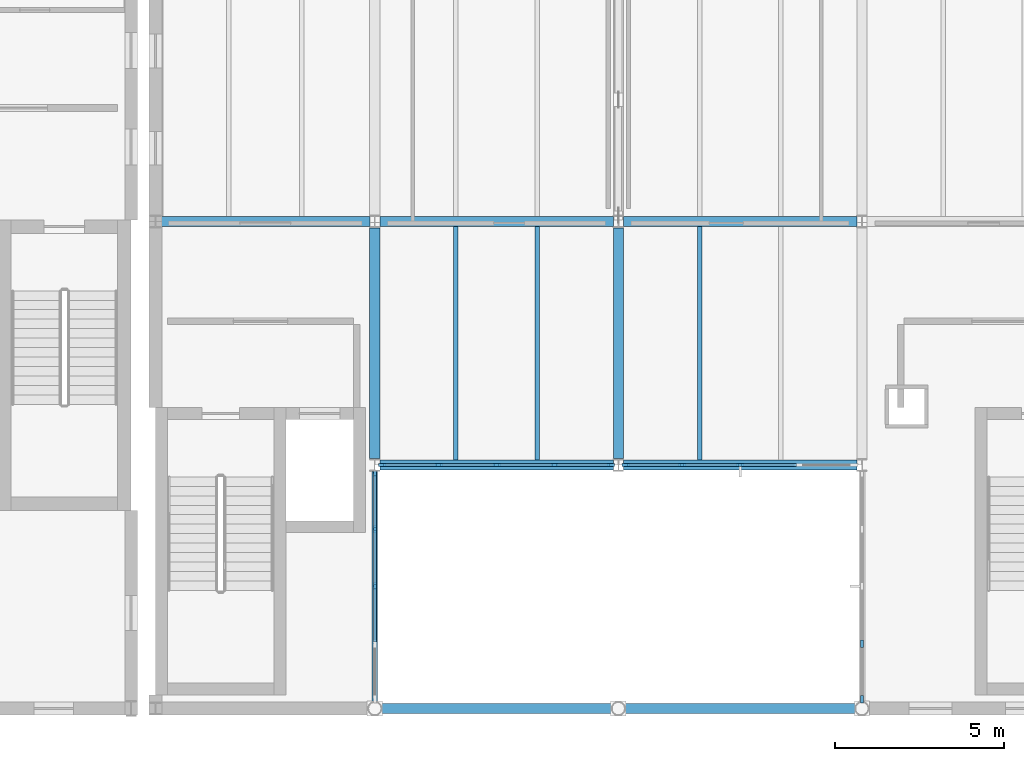
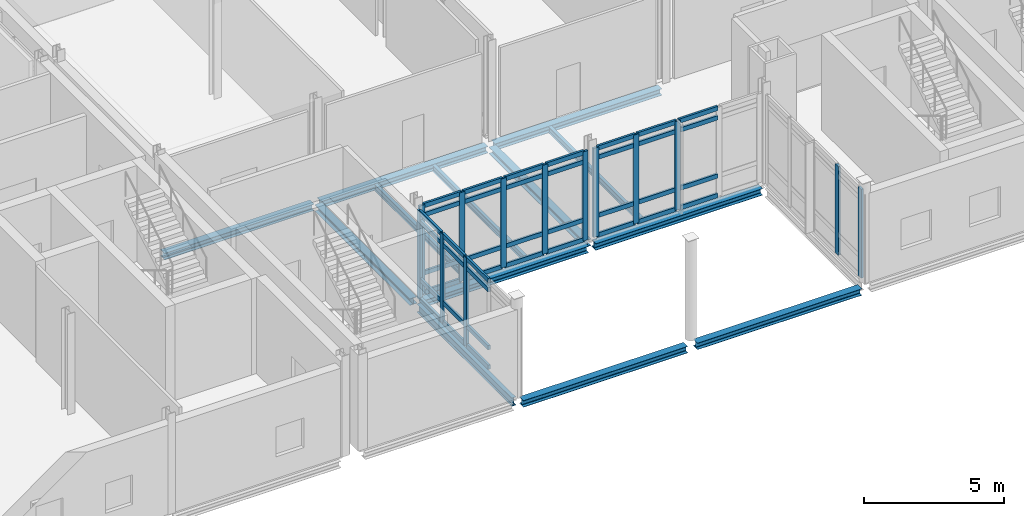
# One storey, part 15 of 72: 53 members, 13 beams, 4 elements without a shape of their own.
"""IFC4 building model written with IfcOpenShell, lengths in metres."""

from ifc_helpers import new_model, si_unit, direction, frame, origin, origin_2d, place, context, subcontext, project, spatial, rectangle, i_section, extrude, material, layer, layer_set, material_profile, profile_set, type_object, element, aggregate, save


model = new_model("IFC4")

# Units and contexts
model_context = context("Model", 3, precision=1e-05, world=origin(), true_north=direction((0.0, 1.0)))
body_context = subcontext(model_context, "Body", "Model", "MODEL_VIEW")
ifc_project = project(units=[si_unit("LENGTHUNIT", "METRE"), si_unit("AREAUNIT", "SQUARE_METRE"), si_unit("VOLUMEUNIT", "CUBIC_METRE"), si_unit("PLANEANGLEUNIT", "RADIAN"), si_unit("MASSUNIT", "GRAM", prefix="KILO")], contexts=[model_context])

# Site, building, storey
site_placement = place(None, origin())
site = spatial("IfcSite", under=ifc_project, at=site_placement, CompositionType="ELEMENT")
building_placement = place(site_placement, origin())
building = spatial("IfcBuilding", under=site, at=building_placement, Name="Zarrinpeak Specialist Clinic", CompositionType="ELEMENT")
storey_placement = place(building_placement, frame((0.0, 0.0, 9.60009765625)))
storey = spatial("IfcBuildingStorey", under=building, at=storey_placement, Name="L02", CompositionType="ELEMENT", Elevation=9.60009765625)

# Beams
ifc_material_1 = material(Name="Steel S355", Category="steel")
ifc_material_profile_1 = material_profile(ifc_material_1, i_section(OverallWidth=0.300048828125, OverallDepth=0.2900390625, WebThickness=0.008544921875, FlangeThickness=0.013916015625, FilletRadius=0.027099609375, at=origin_2d()), Name="HEA 300")
ifc_profile_set_1 = profile_set([ifc_material_profile_1], Name="Steel S355")
beam_type_1 = type_object("IfcBeamType", Name="BM-HEA300", PredefinedType="BEAM", material=ifc_profile_set_1)
for number, where, z_axis, x_axis, name in (
    (1, (36.201171875, 0.0, -0.360107421875), (1.0, 0.0, 0.0), (0.0, 1.0, 0.0), "L02 Primary Floor Girder BM-L02-X1113"),
    (2, (43.401123046875, 0.0, -0.360107421875), (1.0, 0.0, 0.0), (0.0, 1.0, 0.0), "L02 Primary Floor Girder BM-L02-X1114"),
):
    element("IfcBeam", number, at=place(storey_placement, frame(where, z_axis=z_axis, x_axis=x_axis)), inside=storey, type_object=beam_type_1, Name=name, PredefinedType="BEAM", context=body_context, shape_type="SweptSolid", body=[
        extrude(i_section(OverallWidth=0.300048828125, OverallDepth=0.2900390625, WebThickness=0.008544921875, FlangeThickness=0.013916015625, FilletRadius=0.027099609375, at=origin_2d()), origin(), (0.0, 0.0, 1.0), 6.797607421875),
    ])
for number, where, z_axis, x_axis, name in (
    (3, (36.14794921875, 7.199951171875, -0.360107421875), (1.0, 0.0, 0.0), (0.0, 1.0, 0.0), "L02 Primary Floor Girder BM-L02-X1122"),
    (4, (43.347900390625, 7.199951171875, -0.360107421875), (1.0, 0.0, 0.0), (0.0, 1.0, 0.0), "L02 Primary Floor Girder BM-L02-X1123"),
):
    element("IfcBeam", number, at=place(storey_placement, frame(where, z_axis=z_axis, x_axis=x_axis)), inside=storey, type_object=beam_type_1, Name=name, PredefinedType="BEAM", context=body_context, shape_type="SweptSolid", body=[
        extrude(i_section(OverallWidth=0.300048828125, OverallDepth=0.2900390625, WebThickness=0.008544921875, FlangeThickness=0.013916015625, FilletRadius=0.027099609375, at=origin_2d()), origin(), (0.0, 0.0, 1.0), 6.904052734375),
    ])
beam_1_placement = place(storey_placement, frame((29.66796875, 14.39990234375, -0.360107421875), z_axis=(1.0, 0.0, 0.0), x_axis=(0.0, 1.0, 0.0)))
element("IfcBeam", 5, at=beam_1_placement, inside=storey, type_object=beam_type_1, Name="L02 Primary Floor Girder BM-L02-X1127", PredefinedType="BEAM", context=body_context, shape_type="SweptSolid", body=[
    extrude(i_section(OverallWidth=0.300048828125, OverallDepth=0.2900390625, WebThickness=0.008544921875, FlangeThickness=0.013916015625, FilletRadius=0.027099609375, at=origin_2d()), origin(), (0.0, 0.0, 1.0), 6.18408203125),
])
for number, where, z_axis, x_axis, name in (
    (6, (36.14794921875, 14.39990234375, -0.360107421875), (1.0, 0.0, 0.0), (0.0, 1.0, 0.0), "L02 Primary Floor Girder BM-L02-X1128"),
    (7, (43.347900390625, 14.39990234375, -0.360107421875), (1.0, 0.0, 0.0), (0.0, 1.0, 0.0), "L02 Primary Floor Girder BM-L02-X1129"),
):
    element("IfcBeam", number, at=place(storey_placement, frame(where, z_axis=z_axis, x_axis=x_axis)), inside=storey, type_object=beam_type_1, Name=name, PredefinedType="BEAM", context=body_context, shape_type="SweptSolid", body=[
        extrude(i_section(OverallWidth=0.300048828125, OverallDepth=0.2900390625, WebThickness=0.008544921875, FlangeThickness=0.013916015625, FilletRadius=0.027099609375, at=origin_2d()), origin(), (0.0, 0.0, 1.0), 6.904052734375),
    ])
for number, where, z_axis, x_axis, name in (
    (8, (36.0, 7.39794921875, -0.360107421875), (0.0, 1.0, 0.0), (-1.0, 0.0, 0.0), "L02 Primary Beam BM-L02-Y1276"),
    (9, (43.199951171875, 7.39794921875, -0.360107421875), (0.0, 1.0, 0.0), (-1.0, 0.0, 0.0), "L02 Primary Beam BM-L02-Y1282"),
):
    element("IfcBeam", number, at=place(storey_placement, frame(where, z_axis=z_axis, x_axis=x_axis)), inside=storey, type_object=beam_type_1, Name=name, PredefinedType="BEAM", context=body_context, shape_type="SweptSolid", body=[
        extrude(i_section(OverallWidth=0.300048828125, OverallDepth=0.2900390625, WebThickness=0.008544921875, FlangeThickness=0.013916015625, FilletRadius=0.027099609375, at=origin_2d()), origin(), (0.0, 0.0, 1.0), 6.803955078125),
    ])
ifc_material_profile_2 = material_profile(ifc_material_1, i_section(OverallWidth=0.135009765625, OverallDepth=0.27001953125, WebThickness=0.006591796875, FlangeThickness=0.01025390625, FilletRadius=0.014892578125, at=origin_2d()), Name="IPE 270")
ifc_profile_set_2 = profile_set([ifc_material_profile_2], Name="Steel S355")
beam_type_2 = type_object("IfcBeamType", Name="BM-JST270", PredefinedType="JOIST", material=ifc_profile_set_2)
for number, where, z_axis, x_axis, name in (
    (10, (38.39990234375, 7.347900390625, -0.35009765625), (0.0, 1.0, 0.0), (-1.0, 0.0, 0.0), "L02 Composite Floor Joist JST-L02-1379"),
    (11, (40.800048828125, 7.347900390625, -0.35009765625), (0.0, 1.0, 0.0), (-1.0, 0.0, 0.0), "L02 Composite Floor Joist JST-L02-1380"),
    (12, (45.60009765625, 7.347900390625, -0.35009765625), (0.0, 1.0, 0.0), (-1.0, 0.0, 0.0), "L02 Composite Floor Joist JST-L02-1385"),
):
    element("IfcBeam", number, at=place(storey_placement, frame(where, z_axis=z_axis, x_axis=x_axis)), inside=storey, type_object=beam_type_2, Name=name, PredefinedType="JOIST", context=body_context, shape_type="SweptSolid", body=[
        extrude(i_section(OverallWidth=0.135009765625, OverallDepth=0.27001953125, WebThickness=0.006591796875, FlangeThickness=0.01025390625, FilletRadius=0.014892578125, at=origin_2d()), origin(), (0.0, 0.0, 1.0), 6.904052734375),
    ])
ifc_material_profile_3 = material_profile(ifc_material_1, i_section(OverallWidth=0.169921875, OverallDepth=0.360107421875, WebThickness=0.008056640625, FlangeThickness=0.0126953125, FilletRadius=0.01806640625, at=origin_2d()), Name="IPE 360")
ifc_profile_set_3 = profile_set([ifc_material_profile_3], Name="Steel S355")
beam_type_3 = type_object("IfcBeamType", Name="BM-SP360", PredefinedType="SPANDREL", material=ifc_profile_set_3)
beam_2_placement = place(storey_placement, frame((36.0, 0.201171875, -0.39501953125), z_axis=(0.0, 1.0, 0.0), x_axis=(-1.0, 0.0, 0.0)))
element("IfcBeam", 13, at=beam_2_placement, inside=storey, type_object=beam_type_3, Name="L02 Perimeter Spandrel Beam BM-L02-Y1275", PredefinedType="SPANDREL", context=body_context, shape_type="SweptSolid", body=[
    extrude(i_section(OverallWidth=0.169921875, OverallDepth=0.360107421875, WebThickness=0.008056640625, FlangeThickness=0.0126953125, FilletRadius=0.01806640625, at=origin_2d()), origin(), (0.0, 0.0, 1.0), 6.80078125),
])

# Curtain wall, members
ifc_material_2 = material(Name="Anodised Aluminium Alloy 6063-T6", Category="aluminium")
ifc_layer = layer(ifc_material_2, 0.18994140625)
ifc_layer_set = layer_set([ifc_layer], Name="Anodised Aluminium Alloy 6063-T6")
curtain_wall_type = type_object("IfcCurtainWallType", Name="CW-LOGGIA", PredefinedType="NOTDEFINED", material=ifc_layer_set)
curtain_wall_1_placement = place(storey_placement, origin())
curtain_wall_1 = element("IfcCurtainWall", 14, at=curtain_wall_1_placement, inside=storey, type_object=curtain_wall_type, Name="L02 V2 Unitised Curtain Wall CW-L02-V2-051", PredefinedType="NOTDEFINED")
ifc_material_profile_4 = material_profile(ifc_material_2, rectangle(XDim=0.090087890625, YDim=0.219970703125, at=origin_2d()), Name="ALU 90x220")
ifc_profile_set_4 = profile_set([ifc_material_profile_4], Name="Anodised Aluminium Alloy 6063-T6")
member_type_1 = type_object("IfcMemberType", Name="CWM-90", PredefinedType="MULLION", material=ifc_profile_set_4)
member_1_placement = place(storey_placement, frame((36.219970703125, 7.199951171875, 0.0), z_axis=(0.0, 0.0, 1.0), x_axis=(0.0, 1.0, 0.0)))
member_1 = element("IfcMember", 15, at=member_1_placement, type_object=member_type_1, Name="CW-04 mullion 1", PredefinedType="MULLION", context=body_context, shape_type="SweptSolid", body=[
    extrude(rectangle(XDim=0.090087890625, YDim=0.219970703125, at=origin_2d()), origin(), (0.0, 0.0, 1.0), 3.89501953125),
])
member_2_placement = place(storey_placement, frame((37.887451171875, 7.199951171875, 0.0), z_axis=(0.0, 0.0, 1.0), x_axis=(0.0, 1.0, 0.0)))
member_2 = element("IfcMember", 16, at=member_2_placement, type_object=member_type_1, Name="CW-04 mullion 2", PredefinedType="MULLION", context=body_context, shape_type="SweptSolid", body=[
    extrude(rectangle(XDim=0.090087890625, YDim=0.219970703125, at=origin_2d()), origin(), (0.0, 0.0, 1.0), 3.89501953125),
])
member_3_placement = place(storey_placement, frame((39.60009765625, 7.199951171875, 0.0), z_axis=(0.0, 0.0, 1.0), x_axis=(0.0, 1.0, 0.0)))
member_3 = element("IfcMember", 17, at=member_3_placement, type_object=member_type_1, Name="CW-04 mullion 3", PredefinedType="MULLION", context=body_context, shape_type="SweptSolid", body=[
    extrude(rectangle(XDim=0.090087890625, YDim=0.219970703125, at=origin_2d()), origin(), (0.0, 0.0, 1.0), 3.89501953125),
])
member_4_placement = place(storey_placement, frame((41.3125, 7.199951171875, 0.0), z_axis=(0.0, 0.0, 1.0), x_axis=(0.0, 1.0, 0.0)))
member_4 = element("IfcMember", 18, at=member_4_placement, type_object=member_type_1, Name="CW-04 mullion 4", PredefinedType="MULLION", context=body_context, shape_type="SweptSolid", body=[
    extrude(rectangle(XDim=0.090087890625, YDim=0.219970703125, at=origin_2d()), origin(), (0.0, 0.0, 1.0), 3.89501953125),
])
member_5_placement = place(storey_placement, frame((42.97998046875, 7.199951171875, 0.0), z_axis=(0.0, 0.0, 1.0), x_axis=(0.0, 1.0, 0.0)))
member_5 = element("IfcMember", 19, at=member_5_placement, type_object=member_type_1, Name="CW-04 mullion 5", PredefinedType="MULLION", context=body_context, shape_type="SweptSolid", body=[
    extrude(rectangle(XDim=0.090087890625, YDim=0.219970703125, at=origin_2d()), origin(), (0.0, 0.0, 1.0), 3.89501953125),
])

curtain_wall_2_placement = place(storey_placement, origin())
curtain_wall_2 = element("IfcCurtainWall", 20, at=curtain_wall_2_placement, inside=storey, type_object=curtain_wall_type, Name="L02 V2 Unitised Curtain Wall CW-L02-V2-052", PredefinedType="NOTDEFINED")
member_6_placement = place(storey_placement, frame((43.419921875, 7.199951171875, 0.0), z_axis=(0.0, 0.0, 1.0), x_axis=(0.0, 1.0, 0.0)))
member_6 = element("IfcMember", 21, at=member_6_placement, type_object=member_type_1, Name="CW-04 mullion 1", PredefinedType="MULLION", context=body_context, shape_type="SweptSolid", body=[
    extrude(rectangle(XDim=0.090087890625, YDim=0.219970703125, at=origin_2d()), origin(), (0.0, 0.0, 1.0), 3.89501953125),
])
member_7_placement = place(storey_placement, frame((45.08740234375, 7.199951171875, 0.0), z_axis=(0.0, 0.0, 1.0), x_axis=(0.0, 1.0, 0.0)))
member_7 = element("IfcMember", 22, at=member_7_placement, type_object=member_type_1, Name="CW-04 mullion 2", PredefinedType="MULLION", context=body_context, shape_type="SweptSolid", body=[
    extrude(rectangle(XDim=0.090087890625, YDim=0.219970703125, at=origin_2d()), origin(), (0.0, 0.0, 1.0), 3.89501953125),
])
member_8_placement = place(storey_placement, frame((46.800048828125, 7.199951171875, 0.0), z_axis=(0.0, 0.0, 1.0), x_axis=(0.0, 1.0, 0.0)))
member_8 = element("IfcMember", 23, at=member_8_placement, type_object=member_type_1, Name="CW-04 mullion 3", PredefinedType="MULLION", context=body_context, shape_type="SweptSolid", body=[
    extrude(rectangle(XDim=0.090087890625, YDim=0.219970703125, at=origin_2d()), origin(), (0.0, 0.0, 1.0), 3.89501953125),
])

curtain_wall_3_placement = place(storey_placement, origin())
curtain_wall_3 = element("IfcCurtainWall", 24, at=curtain_wall_3_placement, inside=storey, type_object=curtain_wall_type, Name="L02 V2 Unitised Curtain Wall CW-L02-V2-053", PredefinedType="NOTDEFINED")
member_9_placement = place(storey_placement, frame((36.0, 3.611572265625, 0.0), z_axis=(0.0, 0.0, 1.0), x_axis=(-1.0, 0.0, 0.0)))
member_9 = element("IfcMember", 25, at=member_9_placement, type_object=member_type_1, Name="CW-04 mullion 3", PredefinedType="MULLION", context=body_context, shape_type="SweptSolid", body=[
    extrude(rectangle(XDim=0.090087890625, YDim=0.219970703125, at=origin_2d()), origin(), (0.0, 0.0, 1.0), 3.885009765625),
])
member_10_placement = place(storey_placement, frame((36.0, 5.30322265625, 0.0), z_axis=(0.0, 0.0, 1.0), x_axis=(-1.0, 0.0, 0.0)))
member_10 = element("IfcMember", 26, at=member_10_placement, type_object=member_type_1, Name="CW-04 mullion 4", PredefinedType="MULLION", context=body_context, shape_type="SweptSolid", body=[
    extrude(rectangle(XDim=0.090087890625, YDim=0.219970703125, at=origin_2d()), origin(), (0.0, 0.0, 1.0), 3.885009765625),
])
member_11_placement = place(storey_placement, frame((36.0, 6.949951171875, 0.0), z_axis=(0.0, 0.0, 1.0), x_axis=(-1.0, 0.0, 0.0)))
member_11 = element("IfcMember", 27, at=member_11_placement, type_object=member_type_1, Name="CW-04 mullion 5", PredefinedType="MULLION", context=body_context, shape_type="SweptSolid", body=[
    extrude(rectangle(XDim=0.090087890625, YDim=0.219970703125, at=origin_2d()), origin(), (0.0, 0.0, 1.0), 3.885009765625),
])

curtain_wall_4_placement = place(storey_placement, origin())
curtain_wall_4 = element("IfcCurtainWall", 28, at=curtain_wall_4_placement, inside=storey, type_object=curtain_wall_type, Name="L02 V2 Unitised Curtain Wall CW-L02-V2-054", PredefinedType="NOTDEFINED")
member_12_placement = place(storey_placement, frame((50.39990234375, 1.919921875, 0.0), z_axis=(0.0, 0.0, 1.0), x_axis=(1.0, 0.0, 0.0)))
member_12 = element("IfcMember", 29, at=member_12_placement, type_object=member_type_1, Name="CW-04 mullion 4", PredefinedType="MULLION", context=body_context, shape_type="SweptSolid", body=[
    extrude(rectangle(XDim=0.090087890625, YDim=0.219970703125, at=origin_2d()), origin(), (0.0, 0.0, 1.0), 3.885009765625),
])
member_13_placement = place(storey_placement, frame((50.39990234375, 0.273193359375, 0.0), z_axis=(0.0, 0.0, 1.0), x_axis=(1.0, 0.0, 0.0)))
member_13 = element("IfcMember", 30, at=member_13_placement, type_object=member_type_1, Name="CW-04 mullion 5", PredefinedType="MULLION", context=body_context, shape_type="SweptSolid", body=[
    extrude(rectangle(XDim=0.090087890625, YDim=0.219970703125, at=origin_2d()), origin(), (0.0, 0.0, 1.0), 3.885009765625),
])
aggregate(curtain_wall_4, [member_12, member_13])

# Member
ifc_material_profile_5 = material_profile(ifc_material_2, rectangle(XDim=0.090087890625, YDim=0.18994140625, at=origin_2d()), Name="ALU 90x190")
ifc_profile_set_5 = profile_set([ifc_material_profile_5], Name="Anodised Aluminium Alloy 6063-T6")
member_type_2 = type_object("IfcMemberType", Name="CWT-90", PredefinedType="USERDEFINED", material=ifc_profile_set_5)
member_14_placement = place(storey_placement, frame((36.264892578125, 7.199951171875, 0.044921875), z_axis=(1.0, 0.0, 0.0), x_axis=(0.0, 1.0, 0.0)))
member_14 = element("IfcMember", 31, at=member_14_placement, type_object=member_type_2, Name="CW-04 transom 1.1", ObjectType="TRANSOM", PredefinedType="USERDEFINED", context=body_context, shape_type="SweptSolid", body=[
    extrude(rectangle(XDim=0.090087890625, YDim=0.18994140625, at=origin_2d()), origin(), (0.0, 0.0, 1.0), 1.57763671875),
])

member_15_placement = place(storey_placement, frame((36.264892578125, 7.199951171875, 0.89990234375), z_axis=(1.0, 0.0, 0.0), x_axis=(0.0, 1.0, 0.0)))
member_15 = element("IfcMember", 32, at=member_15_placement, type_object=member_type_2, Name="CW-04 transom 1.2", ObjectType="TRANSOM", PredefinedType="USERDEFINED", context=body_context, shape_type="SweptSolid", body=[
    extrude(rectangle(XDim=0.090087890625, YDim=0.18994140625, at=origin_2d()), origin(), (0.0, 0.0, 1.0), 1.57763671875),
])

member_16_placement = place(storey_placement, frame((36.264892578125, 7.199951171875, 3.44482421875), z_axis=(1.0, 0.0, 0.0), x_axis=(0.0, 1.0, 0.0)))
member_16 = element("IfcMember", 33, at=member_16_placement, type_object=member_type_2, Name="CW-04 transom 1.3", ObjectType="TRANSOM", PredefinedType="USERDEFINED", context=body_context, shape_type="SweptSolid", body=[
    extrude(rectangle(XDim=0.090087890625, YDim=0.18994140625, at=origin_2d()), origin(), (0.0, 0.0, 1.0), 1.57763671875),
])

member_17_placement = place(storey_placement, frame((36.264892578125, 7.199951171875, 3.849853515625), z_axis=(1.0, 0.0, 0.0), x_axis=(0.0, 1.0, 0.0)))
member_17 = element("IfcMember", 34, at=member_17_placement, type_object=member_type_2, Name="CW-04 transom 1.4", ObjectType="TRANSOM", PredefinedType="USERDEFINED", context=body_context, shape_type="SweptSolid", body=[
    extrude(rectangle(XDim=0.090087890625, YDim=0.18994140625, at=origin_2d()), origin(), (0.0, 0.0, 1.0), 1.57763671875),
])

member_18_placement = place(storey_placement, frame((37.9326171875, 7.199951171875, 0.044921875), z_axis=(1.0, 0.0, 0.0), x_axis=(0.0, 1.0, 0.0)))
member_18 = element("IfcMember", 35, at=member_18_placement, type_object=member_type_2, Name="CW-04 transom 2.1", ObjectType="TRANSOM", PredefinedType="USERDEFINED", context=body_context, shape_type="SweptSolid", body=[
    extrude(rectangle(XDim=0.090087890625, YDim=0.18994140625, at=origin_2d()), origin(), (0.0, 0.0, 1.0), 1.622314453125),
])

member_19_placement = place(storey_placement, frame((37.9326171875, 7.199951171875, 0.89990234375), z_axis=(1.0, 0.0, 0.0), x_axis=(0.0, 1.0, 0.0)))
member_19 = element("IfcMember", 36, at=member_19_placement, type_object=member_type_2, Name="CW-04 transom 2.2", ObjectType="TRANSOM", PredefinedType="USERDEFINED", context=body_context, shape_type="SweptSolid", body=[
    extrude(rectangle(XDim=0.090087890625, YDim=0.18994140625, at=origin_2d()), origin(), (0.0, 0.0, 1.0), 1.622314453125),
])

member_20_placement = place(storey_placement, frame((37.9326171875, 7.199951171875, 3.44482421875), z_axis=(1.0, 0.0, 0.0), x_axis=(0.0, 1.0, 0.0)))
member_20 = element("IfcMember", 37, at=member_20_placement, type_object=member_type_2, Name="CW-04 transom 2.3", ObjectType="TRANSOM", PredefinedType="USERDEFINED", context=body_context, shape_type="SweptSolid", body=[
    extrude(rectangle(XDim=0.090087890625, YDim=0.18994140625, at=origin_2d()), origin(), (0.0, 0.0, 1.0), 1.622314453125),
])

member_21_placement = place(storey_placement, frame((37.9326171875, 7.199951171875, 3.849853515625), z_axis=(1.0, 0.0, 0.0), x_axis=(0.0, 1.0, 0.0)))
member_21 = element("IfcMember", 38, at=member_21_placement, type_object=member_type_2, Name="CW-04 transom 2.4", ObjectType="TRANSOM", PredefinedType="USERDEFINED", context=body_context, shape_type="SweptSolid", body=[
    extrude(rectangle(XDim=0.090087890625, YDim=0.18994140625, at=origin_2d()), origin(), (0.0, 0.0, 1.0), 1.622314453125),
])

member_22_placement = place(storey_placement, frame((39.64501953125, 7.199951171875, 0.044921875), z_axis=(1.0, 0.0, 0.0), x_axis=(0.0, 1.0, 0.0)))
member_22 = element("IfcMember", 39, at=member_22_placement, type_object=member_type_2, Name="CW-04 transom 3.1", ObjectType="TRANSOM", PredefinedType="USERDEFINED", context=body_context, shape_type="SweptSolid", body=[
    extrude(rectangle(XDim=0.090087890625, YDim=0.18994140625, at=origin_2d()), origin(), (0.0, 0.0, 1.0), 1.62255859375),
])

member_23_placement = place(storey_placement, frame((39.64501953125, 7.199951171875, 0.89990234375), z_axis=(1.0, 0.0, 0.0), x_axis=(0.0, 1.0, 0.0)))
member_23 = element("IfcMember", 40, at=member_23_placement, type_object=member_type_2, Name="CW-04 transom 3.2", ObjectType="TRANSOM", PredefinedType="USERDEFINED", context=body_context, shape_type="SweptSolid", body=[
    extrude(rectangle(XDim=0.090087890625, YDim=0.18994140625, at=origin_2d()), origin(), (0.0, 0.0, 1.0), 1.62255859375),
])

member_24_placement = place(storey_placement, frame((39.64501953125, 7.199951171875, 3.44482421875), z_axis=(1.0, 0.0, 0.0), x_axis=(0.0, 1.0, 0.0)))
member_24 = element("IfcMember", 41, at=member_24_placement, type_object=member_type_2, Name="CW-04 transom 3.3", ObjectType="TRANSOM", PredefinedType="USERDEFINED", context=body_context, shape_type="SweptSolid", body=[
    extrude(rectangle(XDim=0.090087890625, YDim=0.18994140625, at=origin_2d()), origin(), (0.0, 0.0, 1.0), 1.62255859375),
])

member_25_placement = place(storey_placement, frame((39.64501953125, 7.199951171875, 3.849853515625), z_axis=(1.0, 0.0, 0.0), x_axis=(0.0, 1.0, 0.0)))
member_25 = element("IfcMember", 42, at=member_25_placement, type_object=member_type_2, Name="CW-04 transom 3.4", ObjectType="TRANSOM", PredefinedType="USERDEFINED", context=body_context, shape_type="SweptSolid", body=[
    extrude(rectangle(XDim=0.090087890625, YDim=0.18994140625, at=origin_2d()), origin(), (0.0, 0.0, 1.0), 1.62255859375),
])

member_26_placement = place(storey_placement, frame((41.357421875, 7.199951171875, 0.044921875), z_axis=(1.0, 0.0, 0.0), x_axis=(0.0, 1.0, 0.0)))
member_26 = element("IfcMember", 43, at=member_26_placement, type_object=member_type_2, Name="CW-04 transom 4.1", ObjectType="TRANSOM", PredefinedType="USERDEFINED", context=body_context, shape_type="SweptSolid", body=[
    extrude(rectangle(XDim=0.090087890625, YDim=0.18994140625, at=origin_2d()), origin(), (0.0, 0.0, 1.0), 1.57763671875),
])

member_27_placement = place(storey_placement, frame((41.357421875, 7.199951171875, 0.89990234375), z_axis=(1.0, 0.0, 0.0), x_axis=(0.0, 1.0, 0.0)))
member_27 = element("IfcMember", 44, at=member_27_placement, type_object=member_type_2, Name="CW-04 transom 4.2", ObjectType="TRANSOM", PredefinedType="USERDEFINED", context=body_context, shape_type="SweptSolid", body=[
    extrude(rectangle(XDim=0.090087890625, YDim=0.18994140625, at=origin_2d()), origin(), (0.0, 0.0, 1.0), 1.57763671875),
])

member_28_placement = place(storey_placement, frame((41.357421875, 7.199951171875, 3.44482421875), z_axis=(1.0, 0.0, 0.0), x_axis=(0.0, 1.0, 0.0)))
member_28 = element("IfcMember", 45, at=member_28_placement, type_object=member_type_2, Name="CW-04 transom 4.3", ObjectType="TRANSOM", PredefinedType="USERDEFINED", context=body_context, shape_type="SweptSolid", body=[
    extrude(rectangle(XDim=0.090087890625, YDim=0.18994140625, at=origin_2d()), origin(), (0.0, 0.0, 1.0), 1.57763671875),
])

member_29_placement = place(storey_placement, frame((41.357421875, 7.199951171875, 3.849853515625), z_axis=(1.0, 0.0, 0.0), x_axis=(0.0, 1.0, 0.0)))
member_29 = element("IfcMember", 46, at=member_29_placement, type_object=member_type_2, Name="CW-04 transom 4.4", ObjectType="TRANSOM", PredefinedType="USERDEFINED", context=body_context, shape_type="SweptSolid", body=[
    extrude(rectangle(XDim=0.090087890625, YDim=0.18994140625, at=origin_2d()), origin(), (0.0, 0.0, 1.0), 1.57763671875),
])

aggregate(curtain_wall_1, [member_1, member_2, member_3, member_4, member_5, member_14, member_15, member_16, member_17, member_18, member_19, member_20, member_21, member_22, member_23, member_24, member_25, member_26, member_27, member_28, member_29])

member_30_placement = place(storey_placement, frame((43.465087890625, 7.199951171875, 0.044921875), z_axis=(1.0, 0.0, 0.0), x_axis=(0.0, 1.0, 0.0)))
member_30 = element("IfcMember", 47, at=member_30_placement, type_object=member_type_2, Name="CW-04 transom 1.1", ObjectType="TRANSOM", PredefinedType="USERDEFINED", context=body_context, shape_type="SweptSolid", body=[
    extrude(rectangle(XDim=0.090087890625, YDim=0.18994140625, at=origin_2d()), origin(), (0.0, 0.0, 1.0), 1.577392578125),
])

member_31_placement = place(storey_placement, frame((43.465087890625, 7.199951171875, 0.89990234375), z_axis=(1.0, 0.0, 0.0), x_axis=(0.0, 1.0, 0.0)))
member_31 = element("IfcMember", 48, at=member_31_placement, type_object=member_type_2, Name="CW-04 transom 1.2", ObjectType="TRANSOM", PredefinedType="USERDEFINED", context=body_context, shape_type="SweptSolid", body=[
    extrude(rectangle(XDim=0.090087890625, YDim=0.18994140625, at=origin_2d()), origin(), (0.0, 0.0, 1.0), 1.577392578125),
])

member_32_placement = place(storey_placement, frame((43.465087890625, 7.199951171875, 3.44482421875), z_axis=(1.0, 0.0, 0.0), x_axis=(0.0, 1.0, 0.0)))
member_32 = element("IfcMember", 49, at=member_32_placement, type_object=member_type_2, Name="CW-04 transom 1.3", ObjectType="TRANSOM", PredefinedType="USERDEFINED", context=body_context, shape_type="SweptSolid", body=[
    extrude(rectangle(XDim=0.090087890625, YDim=0.18994140625, at=origin_2d()), origin(), (0.0, 0.0, 1.0), 1.577392578125),
])

member_33_placement = place(storey_placement, frame((43.465087890625, 7.199951171875, 3.849853515625), z_axis=(1.0, 0.0, 0.0), x_axis=(0.0, 1.0, 0.0)))
member_33 = element("IfcMember", 50, at=member_33_placement, type_object=member_type_2, Name="CW-04 transom 1.4", ObjectType="TRANSOM", PredefinedType="USERDEFINED", context=body_context, shape_type="SweptSolid", body=[
    extrude(rectangle(XDim=0.090087890625, YDim=0.18994140625, at=origin_2d()), origin(), (0.0, 0.0, 1.0), 1.577392578125),
])

member_34_placement = place(storey_placement, frame((45.132568359375, 7.199951171875, 0.044921875), z_axis=(1.0, 0.0, 0.0), x_axis=(0.0, 1.0, 0.0)))
member_34 = element("IfcMember", 51, at=member_34_placement, type_object=member_type_2, Name="CW-04 transom 2.1", ObjectType="TRANSOM", PredefinedType="USERDEFINED", context=body_context, shape_type="SweptSolid", body=[
    extrude(rectangle(XDim=0.090087890625, YDim=0.18994140625, at=origin_2d()), origin(), (0.0, 0.0, 1.0), 1.622314453125),
])

member_35_placement = place(storey_placement, frame((45.132568359375, 7.199951171875, 0.89990234375), z_axis=(1.0, 0.0, 0.0), x_axis=(0.0, 1.0, 0.0)))
member_35 = element("IfcMember", 52, at=member_35_placement, type_object=member_type_2, Name="CW-04 transom 2.2", ObjectType="TRANSOM", PredefinedType="USERDEFINED", context=body_context, shape_type="SweptSolid", body=[
    extrude(rectangle(XDim=0.090087890625, YDim=0.18994140625, at=origin_2d()), origin(), (0.0, 0.0, 1.0), 1.622314453125),
])

member_36_placement = place(storey_placement, frame((45.132568359375, 7.199951171875, 3.44482421875), z_axis=(1.0, 0.0, 0.0), x_axis=(0.0, 1.0, 0.0)))
member_36 = element("IfcMember", 53, at=member_36_placement, type_object=member_type_2, Name="CW-04 transom 2.3", ObjectType="TRANSOM", PredefinedType="USERDEFINED", context=body_context, shape_type="SweptSolid", body=[
    extrude(rectangle(XDim=0.090087890625, YDim=0.18994140625, at=origin_2d()), origin(), (0.0, 0.0, 1.0), 1.622314453125),
])

member_37_placement = place(storey_placement, frame((45.132568359375, 7.199951171875, 3.849853515625), z_axis=(1.0, 0.0, 0.0), x_axis=(0.0, 1.0, 0.0)))
member_37 = element("IfcMember", 54, at=member_37_placement, type_object=member_type_2, Name="CW-04 transom 2.4", ObjectType="TRANSOM", PredefinedType="USERDEFINED", context=body_context, shape_type="SweptSolid", body=[
    extrude(rectangle(XDim=0.090087890625, YDim=0.18994140625, at=origin_2d()), origin(), (0.0, 0.0, 1.0), 1.622314453125),
])

member_38_placement = place(storey_placement, frame((46.844970703125, 7.199951171875, 0.044921875), z_axis=(1.0, 0.0, 0.0), x_axis=(0.0, 1.0, 0.0)))
member_38 = element("IfcMember", 55, at=member_38_placement, type_object=member_type_2, Name="CW-04 transom 3.1", ObjectType="TRANSOM", PredefinedType="USERDEFINED", context=body_context, shape_type="SweptSolid", body=[
    extrude(rectangle(XDim=0.090087890625, YDim=0.18994140625, at=origin_2d()), origin(), (0.0, 0.0, 1.0), 1.62255859375),
])

member_39_placement = place(storey_placement, frame((46.844970703125, 7.199951171875, 0.89990234375), z_axis=(1.0, 0.0, 0.0), x_axis=(0.0, 1.0, 0.0)))
member_39 = element("IfcMember", 56, at=member_39_placement, type_object=member_type_2, Name="CW-04 transom 3.2", ObjectType="TRANSOM", PredefinedType="USERDEFINED", context=body_context, shape_type="SweptSolid", body=[
    extrude(rectangle(XDim=0.090087890625, YDim=0.18994140625, at=origin_2d()), origin(), (0.0, 0.0, 1.0), 1.62255859375),
])

member_40_placement = place(storey_placement, frame((46.844970703125, 7.199951171875, 3.44482421875), z_axis=(1.0, 0.0, 0.0), x_axis=(0.0, 1.0, 0.0)))
member_40 = element("IfcMember", 57, at=member_40_placement, type_object=member_type_2, Name="CW-04 transom 3.3", ObjectType="TRANSOM", PredefinedType="USERDEFINED", context=body_context, shape_type="SweptSolid", body=[
    extrude(rectangle(XDim=0.090087890625, YDim=0.18994140625, at=origin_2d()), origin(), (0.0, 0.0, 1.0), 1.62255859375),
])

member_41_placement = place(storey_placement, frame((46.844970703125, 7.199951171875, 3.849853515625), z_axis=(1.0, 0.0, 0.0), x_axis=(0.0, 1.0, 0.0)))
member_41 = element("IfcMember", 58, at=member_41_placement, type_object=member_type_2, Name="CW-04 transom 3.4", ObjectType="TRANSOM", PredefinedType="USERDEFINED", context=body_context, shape_type="SweptSolid", body=[
    extrude(rectangle(XDim=0.090087890625, YDim=0.18994140625, at=origin_2d()), origin(), (0.0, 0.0, 1.0), 1.62255859375),
])

aggregate(curtain_wall_2, [member_6, member_7, member_8, member_30, member_31, member_32, member_33, member_34, member_35, member_36, member_37, member_38, member_39, member_40, member_41])

member_42_placement = place(storey_placement, frame((36.0, 1.96484375, 0.044921875), z_axis=(0.0, 1.0, 0.0), x_axis=(-1.0, 0.0, 0.0)))
member_42 = element("IfcMember", 59, at=member_42_placement, type_object=member_type_2, Name="CW-04 transom 2.1", ObjectType="TRANSOM", PredefinedType="USERDEFINED", context=body_context, shape_type="SweptSolid", body=[
    extrude(rectangle(XDim=0.090087890625, YDim=0.18994140625, at=origin_2d()), origin(), (0.0, 0.0, 1.0), 1.601806640625),
])

member_43_placement = place(storey_placement, frame((36.0, 1.96484375, 0.89990234375), z_axis=(0.0, 1.0, 0.0), x_axis=(-1.0, 0.0, 0.0)))
member_43 = element("IfcMember", 60, at=member_43_placement, type_object=member_type_2, Name="CW-04 transom 2.2", ObjectType="TRANSOM", PredefinedType="USERDEFINED", context=body_context, shape_type="SweptSolid", body=[
    extrude(rectangle(XDim=0.090087890625, YDim=0.18994140625, at=origin_2d()), origin(), (0.0, 0.0, 1.0), 1.601806640625),
])

member_44_placement = place(storey_placement, frame((36.0, 1.96484375, 3.434814453125), z_axis=(0.0, 1.0, 0.0), x_axis=(-1.0, 0.0, 0.0)))
member_44 = element("IfcMember", 61, at=member_44_placement, type_object=member_type_2, Name="CW-04 transom 2.3", ObjectType="TRANSOM", PredefinedType="USERDEFINED", context=body_context, shape_type="SweptSolid", body=[
    extrude(rectangle(XDim=0.090087890625, YDim=0.18994140625, at=origin_2d()), origin(), (0.0, 0.0, 1.0), 1.601806640625),
])

member_45_placement = place(storey_placement, frame((36.0, 1.96484375, 3.83984375), z_axis=(0.0, 1.0, 0.0), x_axis=(-1.0, 0.0, 0.0)))
member_45 = element("IfcMember", 62, at=member_45_placement, type_object=member_type_2, Name="CW-04 transom 2.4", ObjectType="TRANSOM", PredefinedType="USERDEFINED", context=body_context, shape_type="SweptSolid", body=[
    extrude(rectangle(XDim=0.090087890625, YDim=0.18994140625, at=origin_2d()), origin(), (0.0, 0.0, 1.0), 1.601806640625),
])

member_46_placement = place(storey_placement, frame((36.0, 3.656494140625, 0.044921875), z_axis=(0.0, 1.0, 0.0), x_axis=(-1.0, 0.0, 0.0)))
member_46 = element("IfcMember", 63, at=member_46_placement, type_object=member_type_2, Name="CW-04 transom 3.1", ObjectType="TRANSOM", PredefinedType="USERDEFINED", context=body_context, shape_type="SweptSolid", body=[
    extrude(rectangle(XDim=0.090087890625, YDim=0.18994140625, at=origin_2d()), origin(), (0.0, 0.0, 1.0), 1.601806640625),
])

member_47_placement = place(storey_placement, frame((36.0, 3.656494140625, 0.89990234375), z_axis=(0.0, 1.0, 0.0), x_axis=(-1.0, 0.0, 0.0)))
member_47 = element("IfcMember", 64, at=member_47_placement, type_object=member_type_2, Name="CW-04 transom 3.2", ObjectType="TRANSOM", PredefinedType="USERDEFINED", context=body_context, shape_type="SweptSolid", body=[
    extrude(rectangle(XDim=0.090087890625, YDim=0.18994140625, at=origin_2d()), origin(), (0.0, 0.0, 1.0), 1.601806640625),
])

member_48_placement = place(storey_placement, frame((36.0, 3.656494140625, 3.434814453125), z_axis=(0.0, 1.0, 0.0), x_axis=(-1.0, 0.0, 0.0)))
member_48 = element("IfcMember", 65, at=member_48_placement, type_object=member_type_2, Name="CW-04 transom 3.3", ObjectType="TRANSOM", PredefinedType="USERDEFINED", context=body_context, shape_type="SweptSolid", body=[
    extrude(rectangle(XDim=0.090087890625, YDim=0.18994140625, at=origin_2d()), origin(), (0.0, 0.0, 1.0), 1.601806640625),
])

member_49_placement = place(storey_placement, frame((36.0, 3.656494140625, 3.83984375), z_axis=(0.0, 1.0, 0.0), x_axis=(-1.0, 0.0, 0.0)))
member_49 = element("IfcMember", 66, at=member_49_placement, type_object=member_type_2, Name="CW-04 transom 3.4", ObjectType="TRANSOM", PredefinedType="USERDEFINED", context=body_context, shape_type="SweptSolid", body=[
    extrude(rectangle(XDim=0.090087890625, YDim=0.18994140625, at=origin_2d()), origin(), (0.0, 0.0, 1.0), 1.601806640625),
])

member_50_placement = place(storey_placement, frame((36.0, 5.348388671875, 0.044921875), z_axis=(0.0, 1.0, 0.0), x_axis=(-1.0, 0.0, 0.0)))
member_50 = element("IfcMember", 67, at=member_50_placement, type_object=member_type_2, Name="CW-04 transom 4.1", ObjectType="TRANSOM", PredefinedType="USERDEFINED", context=body_context, shape_type="SweptSolid", body=[
    extrude(rectangle(XDim=0.090087890625, YDim=0.18994140625, at=origin_2d()), origin(), (0.0, 0.0, 1.0), 1.556640625),
])

member_51_placement = place(storey_placement, frame((36.0, 5.348388671875, 0.89990234375), z_axis=(0.0, 1.0, 0.0), x_axis=(-1.0, 0.0, 0.0)))
member_51 = element("IfcMember", 68, at=member_51_placement, type_object=member_type_2, Name="CW-04 transom 4.2", ObjectType="TRANSOM", PredefinedType="USERDEFINED", context=body_context, shape_type="SweptSolid", body=[
    extrude(rectangle(XDim=0.090087890625, YDim=0.18994140625, at=origin_2d()), origin(), (0.0, 0.0, 1.0), 1.556640625),
])

member_52_placement = place(storey_placement, frame((36.0, 5.348388671875, 3.434814453125), z_axis=(0.0, 1.0, 0.0), x_axis=(-1.0, 0.0, 0.0)))
member_52 = element("IfcMember", 69, at=member_52_placement, type_object=member_type_2, Name="CW-04 transom 4.3", ObjectType="TRANSOM", PredefinedType="USERDEFINED", context=body_context, shape_type="SweptSolid", body=[
    extrude(rectangle(XDim=0.090087890625, YDim=0.18994140625, at=origin_2d()), origin(), (0.0, 0.0, 1.0), 1.556640625),
])

member_53_placement = place(storey_placement, frame((36.0, 5.348388671875, 3.83984375), z_axis=(0.0, 1.0, 0.0), x_axis=(-1.0, 0.0, 0.0)))
member_53 = element("IfcMember", 70, at=member_53_placement, type_object=member_type_2, Name="CW-04 transom 4.4", ObjectType="TRANSOM", PredefinedType="USERDEFINED", context=body_context, shape_type="SweptSolid", body=[
    extrude(rectangle(XDim=0.090087890625, YDim=0.18994140625, at=origin_2d()), origin(), (0.0, 0.0, 1.0), 1.556640625),
])

aggregate(curtain_wall_3, [member_9, member_10, member_11, member_42, member_43, member_44, member_45, member_46, member_47, member_48, member_49, member_50, member_51, member_52, member_53])

save(model, "model.ifc")
